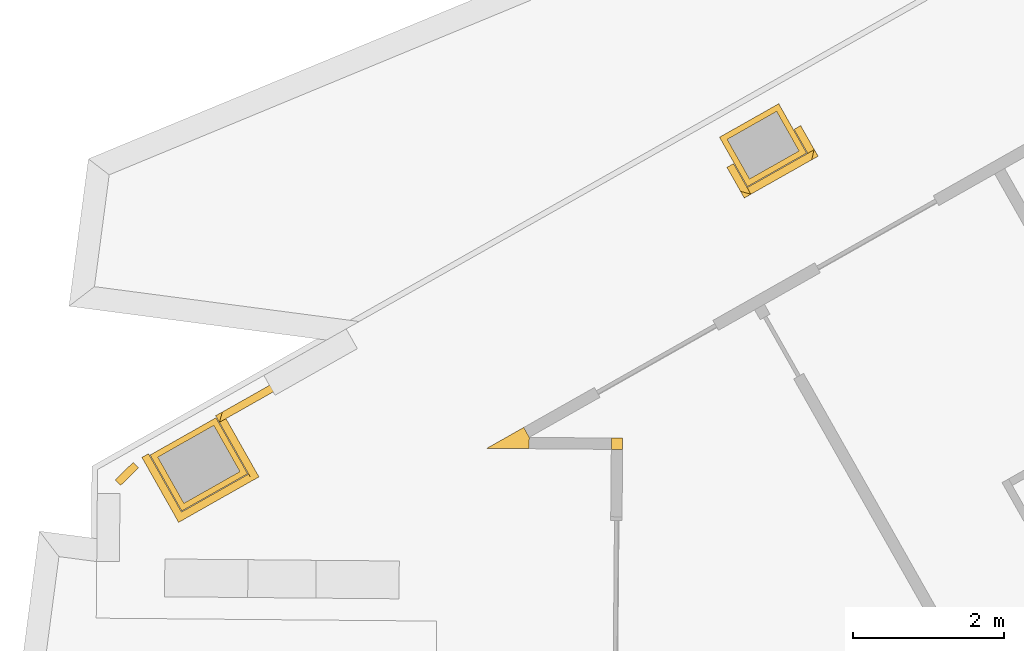
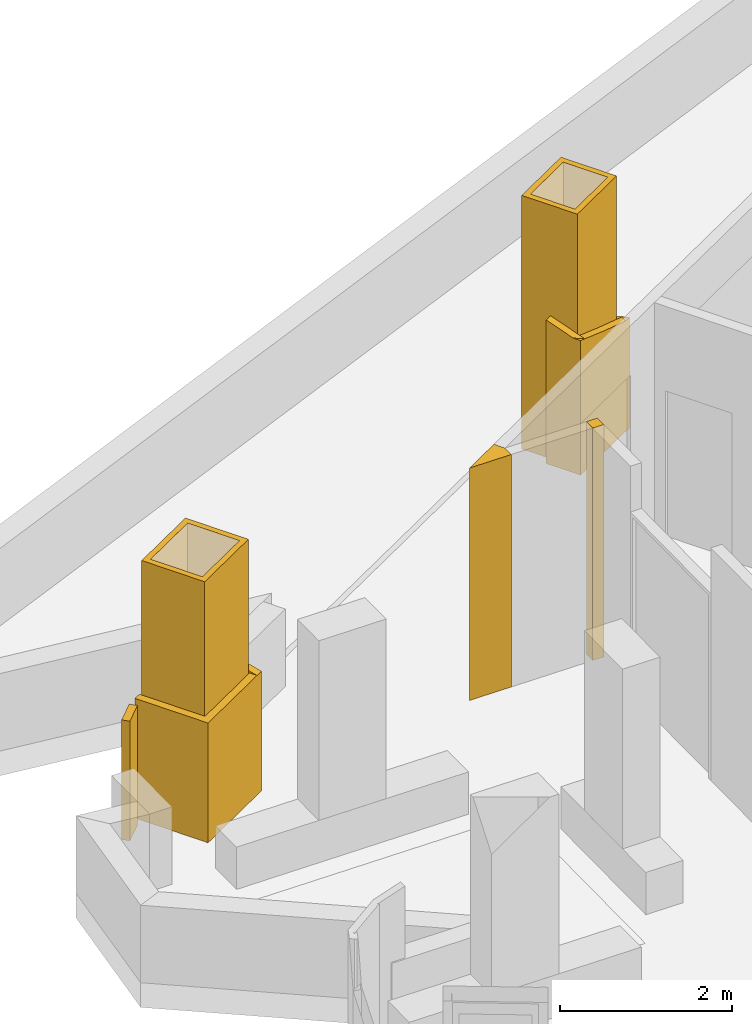
# One storey, part 14 of 18: 4 coverings, 3 railings.
"""IFC4 building model written with IfcOpenShell, lengths in metres."""

from ifc_helpers import new_model, si_unit, direction, frame, origin, place, context, subcontext, project, spatial, polyline, outline, extrude, material, layer, layer_set, type_object, element, save


model = new_model("IFC4")

# Units and contexts
model_context = context("Model", 3, precision=1e-05, world=origin(), true_north=direction((0.0, 1.0)))
body_context = subcontext(model_context, "Body", "Model", "MODEL_VIEW")
ifc_project = project(units=[si_unit("LENGTHUNIT", "METRE"), si_unit("AREAUNIT", "SQUARE_METRE"), si_unit("VOLUMEUNIT", "CUBIC_METRE"), si_unit("PLANEANGLEUNIT", "RADIAN"), si_unit("MASSUNIT", "GRAM", prefix="KILO")], contexts=[model_context])

# Site, building, storey
site_placement = place(None, origin())
site = spatial("IfcSite", under=ifc_project, at=site_placement, CompositionType="ELEMENT")
building_placement = place(site_placement, origin())
building = spatial("IfcBuilding", under=site, at=building_placement, Name="Trine Commons Tower", CompositionType="ELEMENT")
storey_placement = place(building_placement, frame((0.0, 0.0, 161.10009765625)))
storey = spatial("IfcBuildingStorey", under=building, at=storey_placement, Name="L41", CompositionType="ELEMENT", Elevation=161.10009765625)

# Coverings
ifc_material_1 = material(Name="Aluminium-framed insulated wall panel", Category="aluminium")
ifc_layer_1 = layer(ifc_material_1, 0.14990234375)
ifc_layer_set_1 = layer_set([ifc_layer_1], Name="Aluminium-framed insulated wall panel")
covering_type_1 = type_object("IfcCoveringType", Name="Glazing corner post, aluminium", PredefinedType="CLADDING", material=ifc_layer_set_1)
covering_1_placement = place(storey_placement, origin())
element("IfcCovering", 1, at=covering_1_placement, inside=storey, type_object=covering_type_1, Name="Glazing corner post 5-03", PredefinedType="CLADDING", context=body_context, shape_type="SweptSolid", body=[
    extrude(outline(polyline([(53.89892578125, 66.517822265625), (53.900390625, 66.66796875), (53.750244140625, 66.669189453125), (53.7490234375, 66.519287109375), (53.89892578125, 66.517822265625)])), origin(), (0.0, 0.0, 1.0), 3.2998046875),
])
covering_2_placement = place(storey_placement, origin())
element("IfcCovering", 2, at=covering_2_placement, inside=storey, type_object=covering_type_1, Name="Glazing corner post 5-04", PredefinedType="CLADDING", context=body_context, shape_type="SweptSolid", body=[
    extrude(outline(polyline([(52.663330078125, 66.52880859375), (52.66455078125, 66.6787109375), (52.5908203125, 66.809326171875), (52.103515625, 66.53369140625), (52.663330078125, 66.52880859375)])), origin(), (0.0, 0.0, 1.0), 3.2998046875),
])
ifc_material_2 = material(Name="Limestone, honed", Category="masonry")
ifc_layer_2 = layer(ifc_material_2, 0.074951171875)
ifc_layer_set_2 = layer_set([ifc_layer_2], Name="Limestone, honed")
covering_type_2 = type_object("IfcCoveringType", Name="Limestone column cladding 75", PredefinedType="CLADDING", material=ifc_layer_set_2)
covering_3_placement = place(storey_placement, origin())
element("IfcCovering", 3, at=covering_3_placement, inside=storey, type_object=covering_type_2, Name="Limestone pier cladding 5-08", PredefinedType="CLADDING", context=body_context, shape_type="SweptSolid", body=[
    extrude(outline(polyline([(48.94091796875, 66.197509765625), (48.522216796875, 66.9375), (47.65185546875, 66.445068359375), (48.0703125, 65.705078125), (48.94091796875, 66.197509765625)]), holes=[polyline([(48.83837890625, 66.22607421875), (48.493896484375, 66.835205078125), (47.754150390625, 66.41650390625), (48.0986328125, 65.807373046875), (48.83837890625, 66.22607421875)])]), origin(), (0.0, 0.0, 1.0), 3.599853515625),
])
covering_4_placement = place(storey_placement, origin())
element("IfcCovering", 4, at=covering_4_placement, inside=storey, type_object=covering_type_2, Name="Limestone pier cladding 5-09", PredefinedType="CLADDING", context=body_context, shape_type="SweptSolid", body=[
    extrude(outline(polyline([(56.33203125, 70.43701171875), (55.962890625, 71.089599609375), (55.179443359375, 70.646484375), (55.548828125, 69.99365234375), (56.33203125, 70.43701171875)]), holes=[polyline([(56.22998046875, 70.46533203125), (55.9345703125, 70.987548828125), (55.28173828125, 70.6181640625), (55.5771484375, 70.095947265625), (56.22998046875, 70.46533203125)])]), origin(), (0.0, 0.0, 1.0), 3.599853515625),
])

# Railings
ifc_material_3 = material(Name="White powder-coated aluminium", Category="aluminium")
ifc_layer_3 = layer(ifc_material_3, 0.10009765625)
ifc_layer_set_3 = layer_set([ifc_layer_3], Name="White powder-coated aluminium")
railing_type = type_object("IfcRailingType", Name="White balustrade band 100", PredefinedType="GUARDRAIL", material=ifc_layer_set_3)
railing_1_placement = place(storey_placement, origin())
element("IfcRailing", 5, at=railing_1_placement, inside=storey, type_object=railing_type, Name="Guard band L41 6", PredefinedType="GUARDRAIL", context=body_context, shape_type="SweptSolid", body=[
    extrude(outline(polyline([(0.0, 0.0), (0.332275390625, 0.0), (0.332275390625, 1.699951171875), (0.0, 1.699951171875), (0.0, 0.0)])), frame((47.1904296875, 66.1142578125, 0.0), z_axis=(0.701202229564, -0.712962434672, 0.0), x_axis=(0.712962434672, 0.701202229564, 0.0)), (0.0, 0.0, 1.0), 0.10009765625),
])
railing_2_placement = place(storey_placement, origin())
element("IfcRailing", 6, at=railing_2_placement, inside=storey, type_object=railing_type, Name="Guard band L41 7", PredefinedType="GUARDRAIL", context=body_context, shape_type="SweptSolid", body=[
    extrude(outline(polyline([(0.0, 0.0), (0.986328125, 0.0), (0.986328125, 1.699951171875), (0.4931640625, 1.699951171875), (0.0, 1.699951171875), (0.0, 0.0)])), frame((47.63037109375, 66.46240234375, 0.0), z_axis=(-0.870276874764, -0.492562850051, 0.0), x_axis=(0.492562850051, -0.870276874764, 0.0)), (0.0, 0.0, 1.0), 0.10009765625),
    extrude(outline(polyline([(0.0, 0.0), (1.2216796875, 0.0), (1.2216796875, 1.699951171875), (0.61083984375, 1.699951171875), (0.0, 1.699951171875), (0.0, 0.0)])), frame((47.978759765625, 65.641845703125, 0.0), z_axis=(0.492432575552, -0.870350595183, 0.0), x_axis=(0.870350595183, 0.492432575552, 0.0)), (0.0, 0.0, 1.0), 0.10009765625),
    extrude(outline(polyline([(0.0, 0.0), (0.98681640625, 0.0), (0.98681640625, 2.003173828125), (0.493408203125, 1.82958984375), (0.0, 1.699951171875), (0.0, 0.0)])), frame((49.004150390625, 66.10595703125, 0.0), z_axis=(0.870290868894, 0.492538123925, 0.0), x_axis=(-0.492538123925, 0.870290868894, 0.0)), (0.0, 0.0, 1.0), 0.10009765625),
    extrude(outline(polyline([(0.0, 0.0), (1.002685546875, 0.0), (1.002685546875, 2.311767578125), (0.76025390625, 2.2333984375), (0.0, 1.96728515625), (0.0, 0.0)])), frame((48.51806640625, 66.9638671875, 0.0), z_axis=(0.492305943603, -0.870422229664, 0.0), x_axis=(0.870422229664, 0.492305943603, 0.0)), (0.0, 0.0, 1.0), 0.10009765625),
])
railing_3_placement = place(storey_placement, origin())
element("IfcRailing", 7, at=railing_3_placement, inside=storey, type_object=railing_type, Name="Guard band L41 8", PredefinedType="GUARDRAIL", context=body_context, shape_type="SweptSolid", body=[
    extrude(outline(polyline([(0.0, 0.0), (0.466064453125, 0.0), (0.466064453125, 1.875), (0.466064453125, 1.875), (0.0, 2.03955078125), (0.0, 0.0)])), frame((55.365234375, 70.2978515625, 0.0), z_axis=(-0.870426247265, -0.49229884021, 0.0), x_axis=(0.49229884021, -0.870426247265, 0.0)), (0.0, 0.0, 1.0), 0.10009765625),
    extrude(outline(polyline([(0.0, 0.0), (1.121826171875, 0.0), (1.121826171875, 1.537109375), (0.56103515625, 1.717041015625), (0.0, 1.910888671875), (0.0, 0.0)])), frame((55.457275390625, 69.9306640625, 0.0), z_axis=(0.492243682902, -0.870457441029, 0.0), x_axis=(0.870457441029, 0.492243682902, 0.0)), (0.0, 0.0, 1.0), 0.10009765625),
    extrude(outline(polyline([(0.0, 0.0), (0.4658203125, 0.0), (0.4658203125, 1.431884765625), (0.0, 1.568359375), (0.0, 0.0)])), frame((56.3955078125, 70.345458984375, 0.0), z_axis=(0.870172043035, 0.492748024369, 0.0), x_axis=(-0.492748024369, 0.870172043035, 0.0)), (0.0, 0.0, 1.0), 0.10009765625),
])

save(model, "model.ifc")
